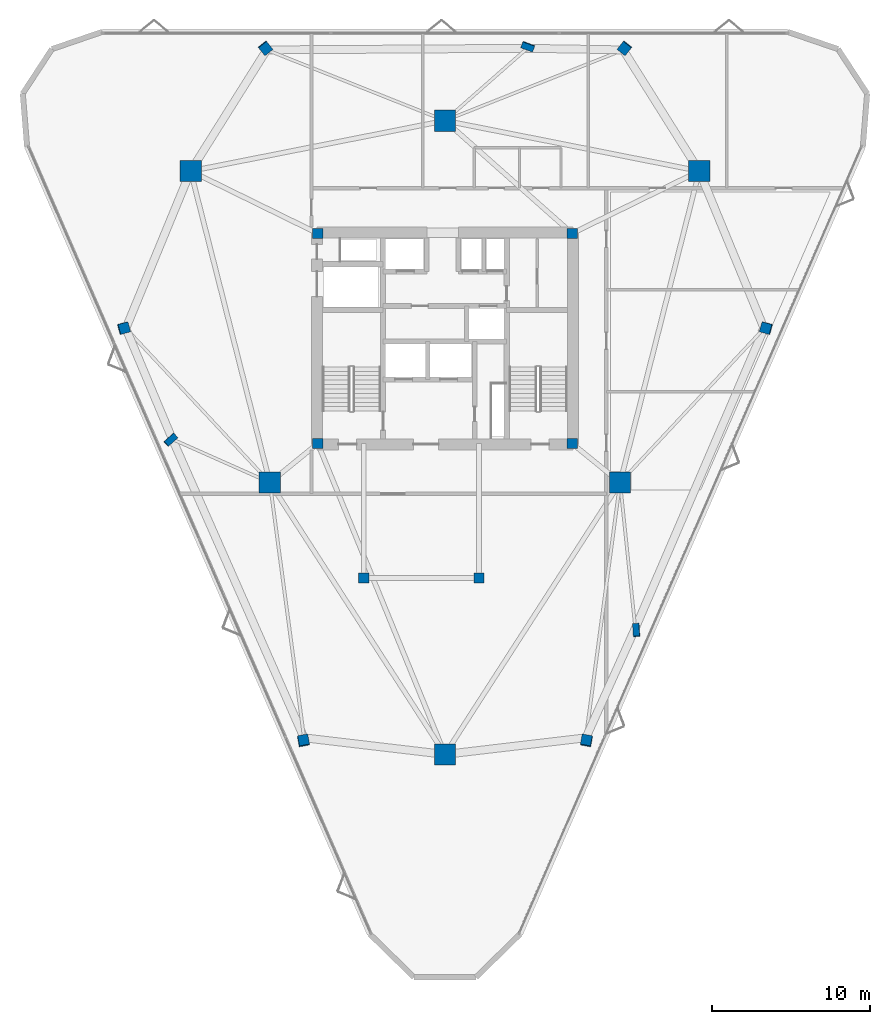
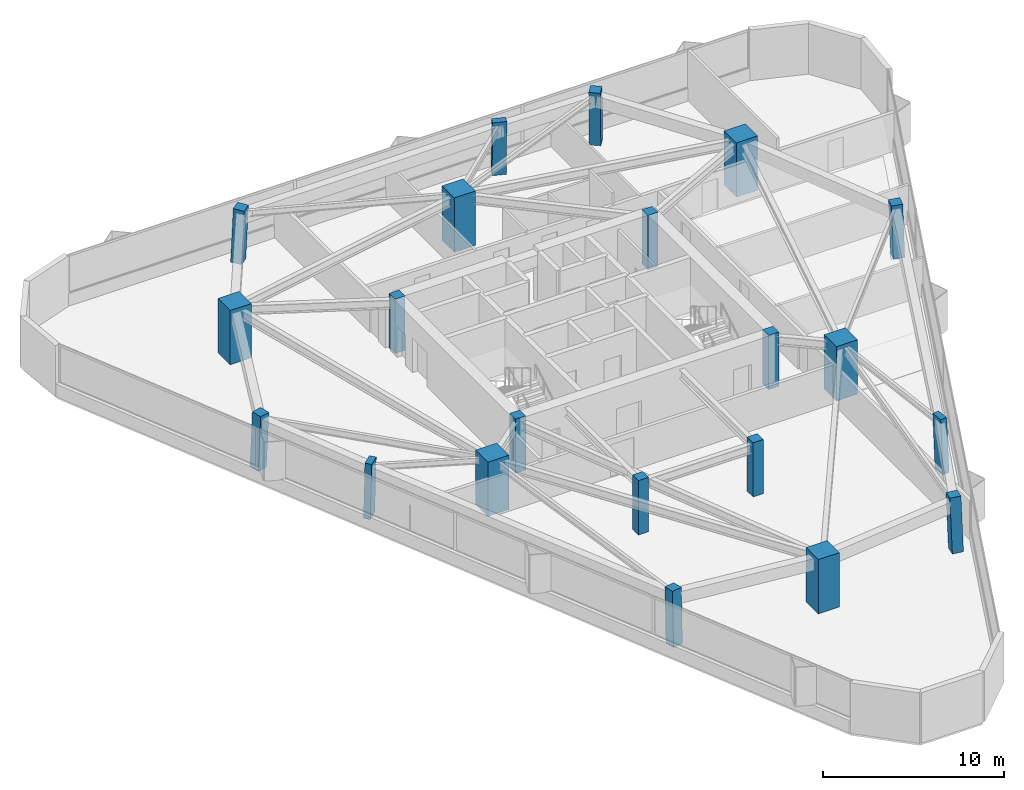
# One storey, part 1 of 12: 21 columns.
"""IFC4 building model written with IfcOpenShell, lengths in metres."""

from ifc_helpers import new_model, si_unit, direction, frame, origin, origin_2d, place, context, subcontext, project, spatial, rectangle, extrude, material, material_profile, profile_set, type_object, element, save


model = new_model("IFC4")

# Units and contexts
model_context = context("Model", 3, precision=1e-05, world=origin(), true_north=direction((0.0, 1.0)))
body_context = subcontext(model_context, "Body", "Model", "MODEL_VIEW")
ifc_project = project(units=[si_unit("LENGTHUNIT", "METRE"), si_unit("AREAUNIT", "SQUARE_METRE"), si_unit("VOLUMEUNIT", "CUBIC_METRE"), si_unit("PLANEANGLEUNIT", "RADIAN"), si_unit("MASSUNIT", "GRAM", prefix="KILO")], contexts=[model_context])

# Site, building, storey
site_placement = place(None, origin())
site = spatial("IfcSite", under=ifc_project, at=site_placement, CompositionType="ELEMENT")
building_placement = place(site_placement, origin())
building = spatial("IfcBuilding", under=site, at=building_placement, Name="Talyreon Biosciences Tower", CompositionType="ELEMENT")
storey_placement = place(building_placement, frame((0.0, 0.0, 179.39990234375)))
storey = spatial("IfcBuildingStorey", under=building, at=storey_placement, Name="L47", CompositionType="ELEMENT", Elevation=179.39990234375)

# Columns
ifc_material_1 = material(Name="Precast concrete C45/55", Category="concrete")
ifc_material_profile_1 = material_profile(ifc_material_1, rectangle(XDim=0.800048828125, YDim=0.39990234375, at=origin_2d()), Name="RC 800x400")
ifc_profile_set_1 = profile_set([ifc_material_profile_1], Name="Precast concrete C45/55")
column_type_1 = type_object("IfcColumnType", Name="FacadePilaster_800x400", PredefinedType="PILASTER", material=ifc_profile_set_1)
column_1_placement = place(storey_placement, frame((78.12109375, 49.517578125, 0.003173828125), z_axis=(-0.019545094565, 0.038286966066, 0.999075621516), x_axis=(0.060973878566, -0.997360875104, 0.039414095746)))
element("IfcColumn", 1, at=column_1_placement, inside=storey, type_object=column_type_1, Name="L47 Facade Pilaster PL-SE", PredefinedType="PILASTER", context=body_context, shape_type="SweptSolid", body=[
    extrude(rectangle(XDim=0.800048828125, YDim=0.39990234375, at=origin_2d()), origin(), (0.0, 0.0, 1.0), 3.6474609375),
])
column_2_placement = place(storey_placement, frame((71.252197265625, 86.4912109375, 0.003173828125), z_axis=(-0.01238655289, -0.033544124313, 0.999360478022), x_axis=(-0.9380871136, 0.346399433166, 0.0)))
element("IfcColumn", 2, at=column_2_placement, inside=storey, type_object=column_type_1, Name="L47 Facade Pilaster PL-N", PredefinedType="PILASTER", context=body_context, shape_type="SweptSolid", body=[
    extrude(rectangle(XDim=0.800048828125, YDim=0.39990234375, at=origin_2d()), origin(), (0.0, 0.0, 1.0), 3.646484375),
])
column_3_placement = place(storey_placement, frame((48.62646484375, 61.582275390625, 0.003173828125), z_axis=(0.032006476949, 0.010512587617, 0.999432374368), x_axis=(0.746040809026, 0.665183443624, -0.030888470278)))
element("IfcColumn", 3, at=column_3_placement, inside=storey, type_object=column_type_1, Name="L47 Facade Pilaster PL-SW", PredefinedType="PILASTER", context=body_context, shape_type="SweptSolid", body=[
    extrude(rectangle(XDim=0.800048828125, YDim=0.39990234375, at=origin_2d()), origin(), (0.0, 0.0, 1.0), 3.64599609375),
])
ifc_material_2 = material(Name="Concrete C50/60", Category="concrete")
ifc_material_profile_2 = material_profile(ifc_material_2, rectangle(XDim=1.35009765625, YDim=1.35009765625, at=origin_2d()), Name="RC 1350x1350")
ifc_profile_set_2 = profile_set([ifc_material_profile_2], Name="Concrete C50/60")
column_type_2 = type_object("IfcColumnType", Name="MegaColumn_1350", PredefinedType="COLUMN", material=ifc_profile_set_2)
for number, where, z_axis, x_axis, name in (
    (4, (66.0, 41.6669921875, 0.0), (0.0, 0.0, 1.0), (1.0, 0.0, 0.0), "L47 Composite Mega-Column MC1"),
    (5, (82.102294921875, 78.5986328125, 0.0), (0.0, 0.0, 1.0), (1.0, 0.0, 0.0), "L47 Composite Mega-Column MC2"),
    (6, (49.897705078125, 78.5986328125, 0.0), (0.0, 0.0, 1.0), (1.0, 0.0, 0.0), "L47 Composite Mega-Column MC3"),
    (7, (77.086181640625, 58.88037109375, 0.0), (0.0, 0.0, 1.0), (1.0, 0.0, 0.0), "L47 Composite Mega-Column MC4"),
    (8, (66.0, 81.788818359375, 0.0), (0.0, 0.0, 1.0), (1.0, 0.0, 0.0), "L47 Composite Mega-Column MC5"),
    (9, (54.913818359375, 58.88037109375, 0.0), (0.0, 0.0, 1.0), (1.0, 0.0, 0.0), "L47 Composite Mega-Column MC6"),
):
    element("IfcColumn", number, at=place(storey_placement, frame(where, z_axis=z_axis, x_axis=x_axis)), inside=storey, type_object=column_type_2, Name=name, PredefinedType="COLUMN", context=body_context, shape_type="SweptSolid", body=[
        extrude(rectangle(XDim=1.35009765625, YDim=1.35009765625, at=origin_2d()), origin(), (0.0, 0.0, 1.0), 3.650146484375),
    ])
ifc_material_profile_3 = material_profile(ifc_material_2, rectangle(XDim=0.64990234375, YDim=0.64990234375, at=origin_2d()), Name="RC 650x650")
ifc_profile_set_3 = profile_set([ifc_material_profile_3], Name="Concrete C50/60")
column_type_3 = type_object("IfcColumnType", Name="PerimeterColumn_650", PredefinedType="COLUMN", material=ifc_profile_set_3)
for number, where, z_axis, x_axis, name in (
    (10, (57.949951171875, 61.35009765625, 0.0), (0.0, 0.0, 1.0), (1.0, 0.0, 0.0), "L47 Core Column CC1"),
    (11, (74.050048828125, 61.35009765625, 0.0), (0.0, 0.0, 1.0), (1.0, 0.0, 0.0), "L47 Core Column CC2"),
    (12, (74.050048828125, 74.64990234375, 0.0), (0.0, 0.0, 1.0), (1.0, 0.0, 0.0), "L47 Core Column CC3"),
    (13, (57.949951171875, 74.64990234375, 0.0), (0.0, 0.0, 1.0), (1.0, 0.0, 0.0), "L47 Core Column CC4"),
    (14, (60.85009765625, 52.840087890625, 0.0), (0.0, 0.0, 1.0), (1.0, 0.0, 0.0), "L47 Core Column CSW"),
    (15, (68.14990234375, 52.840087890625, 0.0), (0.0, 0.0, 1.0), (1.0, 0.0, 0.0), "L47 Core Column CSE"),
):
    element("IfcColumn", number, at=place(storey_placement, frame(where, z_axis=z_axis, x_axis=x_axis)), inside=storey, type_object=column_type_3, Name=name, PredefinedType="COLUMN", context=body_context, shape_type="SweptSolid", body=[
        extrude(rectangle(XDim=0.64990234375, YDim=0.64990234375, at=origin_2d()), origin(), (0.0, 0.0, 1.0), 3.650146484375),
    ])
column_4_placement = place(storey_placement, frame((74.9658203125, 42.519775390625, 0.003173828125), z_axis=(-0.012442023592, 0.054450576364, 0.998438946948), x_axis=(-0.18521058033, -0.981363560291, 0.051211360722)))
element("IfcColumn", 16, at=column_4_placement, inside=storey, type_object=column_type_3, Name="L47 Tapering Perimeter Column PC-SE1", PredefinedType="COLUMN", context=body_context, shape_type="SweptSolid", body=[
    extrude(rectangle(XDim=0.64990234375, YDim=0.64990234375, at=origin_2d()), origin(), (0.0, 0.0, 1.0), 3.649658203125),
])
column_5_placement = place(storey_placement, frame((86.345703125, 68.659912109375, 0.003173828125), z_axis=(-0.039229493406, -0.00569028488, 0.999214024874), x_axis=(0.963969673558, -0.263517553175, 0.036345118363)))
element("IfcColumn", 17, at=column_5_placement, inside=storey, type_object=column_type_3, Name="L47 Tapering Perimeter Column PC-SE2", PredefinedType="COLUMN", context=body_context, shape_type="SweptSolid", body=[
    extrude(rectangle(XDim=0.64990234375, YDim=0.64990234375, at=origin_2d()), origin(), (0.0, 0.0, 1.0), 3.64697265625),
])
for number, where, z_axis, x_axis, name in (
    (18, (77.3798828125, 86.39111328125, 0.003173828125), (-0.026841076243, -0.033534611465, 0.999077067328), (-0.780716755404, 0.624885067698, 0.0), "L47 Tapering Perimeter Column PC-N1"),
    (19, (54.6201171875, 86.39111328125, 0.003173828125), (0.026841076243, -0.033534611465, 0.999077067328), (-0.780716755404, -0.624885067698, 0.0), "L47 Tapering Perimeter Column PC-N2"),
):
    element("IfcColumn", number, at=place(storey_placement, frame(where, z_axis=z_axis, x_axis=x_axis)), inside=storey, type_object=column_type_3, Name=name, PredefinedType="COLUMN", context=body_context, shape_type="SweptSolid", body=[
        extrude(rectangle(XDim=0.64990234375, YDim=0.64990234375, at=origin_2d()), origin(), (0.0, 0.0, 1.0), 3.6474609375),
    ])
column_6_placement = place(storey_placement, frame((45.654296875, 68.659912109375, 0.003173828125), z_axis=(0.039229493406, -0.00569028488, 0.999214024874), x_axis=(0.963969673558, 0.263517553175, -0.036345118363)))
element("IfcColumn", 20, at=column_6_placement, inside=storey, type_object=column_type_3, Name="L47 Tapering Perimeter Column PC-SW1", PredefinedType="COLUMN", context=body_context, shape_type="SweptSolid", body=[
    extrude(rectangle(XDim=0.64990234375, YDim=0.64990234375, at=origin_2d()), origin(), (0.0, 0.0, 1.0), 3.64697265625),
])
column_7_placement = place(storey_placement, frame((57.0341796875, 42.519775390625, 0.003173828125), z_axis=(0.012442023592, 0.054450576364, 0.998438946948), x_axis=(-0.18521058033, 0.981363560291, -0.051211360722)))
element("IfcColumn", 21, at=column_7_placement, inside=storey, type_object=column_type_3, Name="L47 Tapering Perimeter Column PC-SW2", PredefinedType="COLUMN", context=body_context, shape_type="SweptSolid", body=[
    extrude(rectangle(XDim=0.64990234375, YDim=0.64990234375, at=origin_2d()), origin(), (0.0, 0.0, 1.0), 3.649658203125),
])

save(model, "model.ifc")
